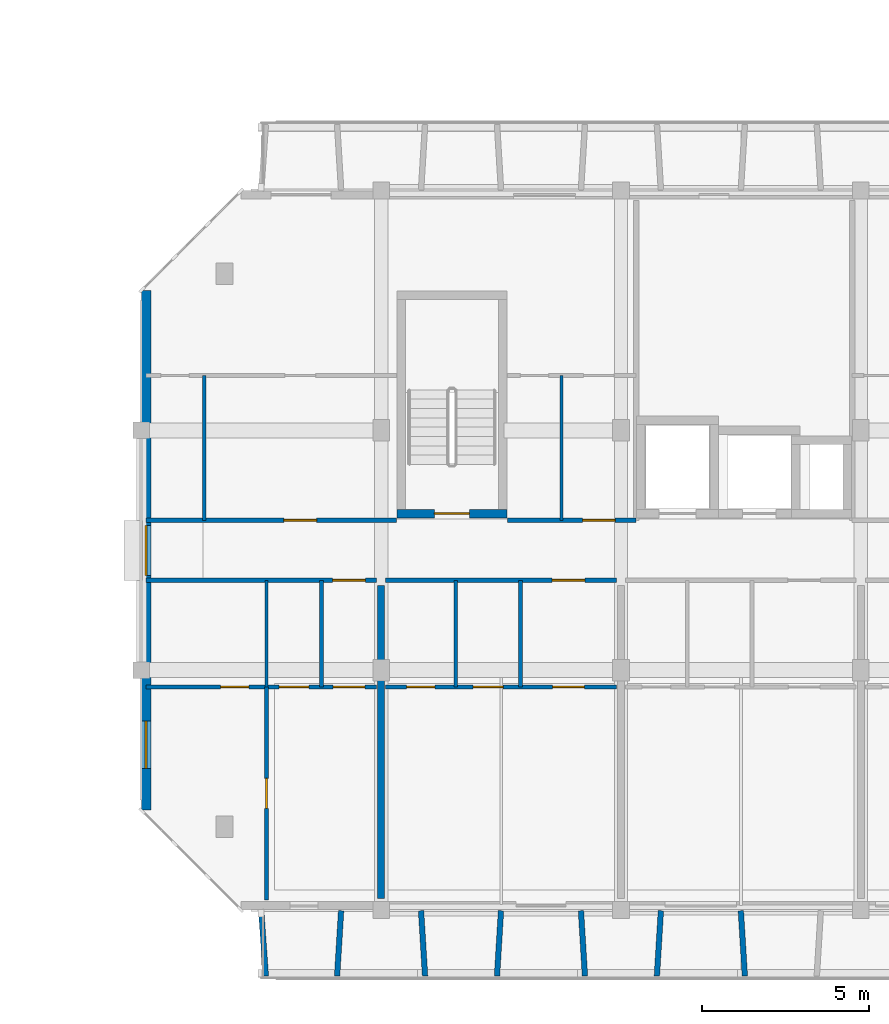
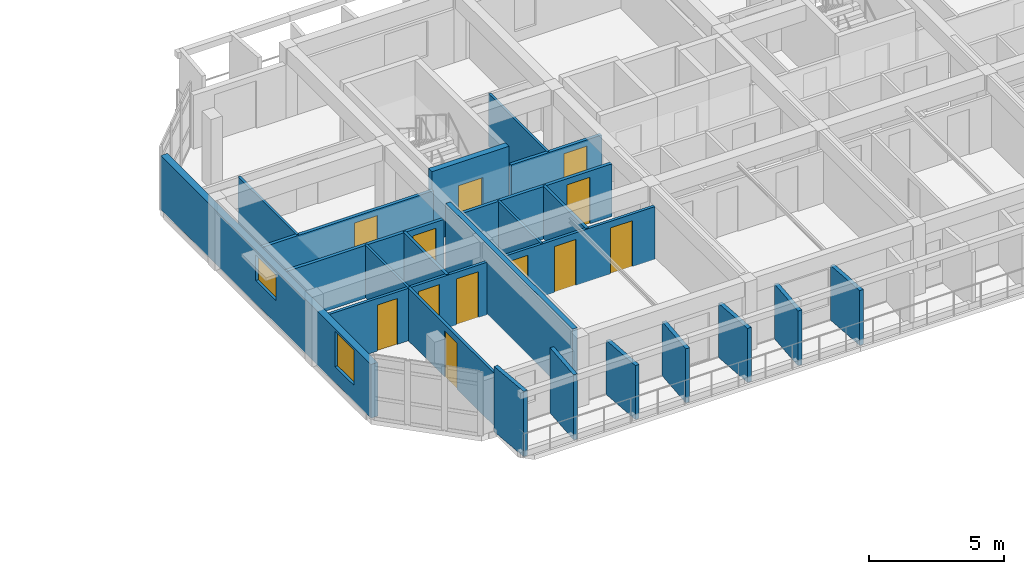
# One storey, part 24 of 46: 23 walls, 12 doors, 2 windows, 14 openings.
"""IFC4 building model written with IfcOpenShell, lengths in metres."""

from ifc_helpers import new_model, si_unit, direction, frame, frame_2d, origin, place, context, subcontext, project, spatial, rectangle, extrude, material, layer, layer_set, type_object, element, fill, save


model = new_model("IFC4")

# Units and contexts
model_context = context("Model", 3, precision=1e-05, world=origin(), true_north=direction((0.0, 1.0)))
body_context = subcontext(model_context, "Body", "Model", "MODEL_VIEW")
ifc_project = project(units=[si_unit("LENGTHUNIT", "METRE"), si_unit("AREAUNIT", "SQUARE_METRE"), si_unit("VOLUMEUNIT", "CUBIC_METRE"), si_unit("PLANEANGLEUNIT", "RADIAN"), si_unit("MASSUNIT", "GRAM", prefix="KILO")], contexts=[model_context])

# Site, building, storey
site_placement = place(None, origin())
site = spatial("IfcSite", under=ifc_project, at=site_placement, CompositionType="ELEMENT")
building_placement = place(site_placement, origin())
building = spatial("IfcBuilding", under=site, at=building_placement, Name="Ochrevale Crest", CompositionType="ELEMENT")
storey_placement = place(building_placement, frame((0.0, 0.0, 24.449951171875)))
storey = spatial("IfcBuildingStorey", under=building, at=storey_placement, Name="L07", CompositionType="ELEMENT", Elevation=24.449951171875)

# Wall, opening, door
ifc_material_1 = material(Name="Gypsum plasterboard", Category="gypsum")
ifc_layer_1 = layer(ifc_material_1, 0.139892578125)
ifc_layer_set_1 = layer_set([ifc_layer_1], Name="Gypsum plasterboard")
wall_type_1 = type_object("IfcWallType", Name="WL-COR-140", PredefinedType="PARTITIONING", material=ifc_layer_set_1)
wall_1_placement = place(storey_placement, frame((129.739990234375, 24.300048828125, 0.0), z_axis=(0.0, 0.0, 1.0), x_axis=(1.0, 0.0, 0.0)))
wall_1 = element("IfcWall", 1, at=wall_1_placement, inside=storey, type_object=wall_type_1, Name="Apartment C-L07-U1 corridor wall", PredefinedType="PARTITIONING", context=body_context, shape_type="SweptSolid", body=[
    extrude(rectangle(XDim=6.919921875, YDim=0.139892578125, at=frame_2d((3.4599609375, 0.0))), origin(), (0.0, 0.0, 1.0), 2.380126953125),
])
opening_1_placement = place(wall_1_placement, frame((6.5849609375, 0.0, 0.0), z_axis=(0.0, 0.0, 1.0), x_axis=(-1.0, 0.0, 0.0)))
opening_1 = element("IfcOpeningElement", 2, at=opening_1_placement, cuts=wall_1, Name="Opening FD01", PredefinedType="OPENING", context=body_context, shape_type="SweptSolid", body=[
    extrude(rectangle(XDim=0.97998046875, YDim=2.10009765625, at=frame_2d((0.489990234375, 1.050048828125))), frame((0.0, 0.080078125, 0.0), z_axis=(0.0, -1.0, 0.0), x_axis=(1.0, 0.0, 0.0)), (0.0, 0.0, 1.0), 0.159912109375),
])
ifc_material_2 = material(Name="Solid-core FSC hardwood", Category="wood")
door_type_1 = type_object("IfcDoorType", Name="DR-APT-950", OperationType="NOTDEFINED", PredefinedType="DOOR", material=ifc_material_2)
door_1_placement = place(opening_1_placement, origin())
door_1 = element("IfcDoor", 3, at=door_1_placement, inside=storey, type_object=door_type_1, Name="Apartment C-L07-U1 entrance door", OperationType="SINGLE_SWING_RIGHT", OverallHeight=2.10009765625, OverallWidth=0.97998046875, PredefinedType="DOOR", context=body_context, shape_type="SweptSolid", body=[
    extrude(rectangle(XDim=0.97998046875, YDim=2.10009765625, at=frame_2d((0.489990234375, 1.050048828125))), frame((0.0, 0.02490234375, 0.0), z_axis=(0.0, -1.0, 0.0), x_axis=(1.0, 0.0, 0.0)), (0.0, 0.0, 1.0), 0.050048828125),
])
fill(opening_1, door_1)

wall_2_placement = place(storey_placement, frame((136.93994140625, 24.300048828125, 0.0), z_axis=(0.0, 0.0, 1.0), x_axis=(1.0, 0.0, 0.0)))
wall_2 = element("IfcWall", 4, at=wall_2_placement, inside=storey, type_object=wall_type_1, Name="Apartment C-L07-U2 corridor wall", PredefinedType="PARTITIONING", context=body_context, shape_type="SweptSolid", body=[
    extrude(rectangle(XDim=6.920166015625, YDim=0.139892578125, at=frame_2d((3.4599609375, 0.0))), origin(), (0.0, 0.0, 1.0), 2.380126953125),
])
opening_2_placement = place(wall_2_placement, frame((4.9951171875, 0.0, 0.0)))
opening_2 = element("IfcOpeningElement", 5, at=opening_2_placement, cuts=wall_2, Name="Opening FD01", PredefinedType="OPENING", context=body_context, shape_type="SweptSolid", body=[
    extrude(rectangle(XDim=0.97998046875, YDim=2.10009765625, at=frame_2d((0.489990234375, 1.050048828125))), frame((0.0, 0.080078125, 0.0), z_axis=(0.0, -1.0, 0.0), x_axis=(1.0, 0.0, 0.0)), (0.0, 0.0, 1.0), 0.159912109375),
])
door_2_placement = place(opening_2_placement, origin())
door_2 = element("IfcDoor", 6, at=door_2_placement, inside=storey, type_object=door_type_1, Name="Apartment C-L07-U2 entrance door", OperationType="SINGLE_SWING_LEFT", OverallHeight=2.10009765625, OverallWidth=0.97998046875, PredefinedType="DOOR", context=body_context, shape_type="SweptSolid", body=[
    extrude(rectangle(XDim=0.97998046875, YDim=2.10009765625, at=frame_2d((0.489990234375, 1.050048828125))), frame((0.0, 0.02490234375, 0.0), z_axis=(0.0, -1.0, 0.0), x_axis=(1.0, 0.0, 0.0)), (0.0, 0.0, 1.0), 0.050048828125),
])
fill(opening_2, door_2)

wall_3_placement = place(storey_placement, frame((129.739990234375, 26.10009765625, 0.0), z_axis=(0.0, 0.0, 1.0), x_axis=(1.0, 0.0, 0.0)))
wall_3 = element("IfcWall", 7, at=wall_3_placement, inside=storey, type_object=wall_type_1, Name="Suite C-L07-CW corridor wall", PredefinedType="PARTITIONING", context=body_context, shape_type="SweptSolid", body=[
    extrude(rectangle(XDim=7.52001953125, YDim=0.139892578125, at=frame_2d((3.760009765625, 0.0))), origin(), (0.0, 0.0, 1.0), 2.380126953125),
])
opening_3_placement = place(wall_3_placement, frame((4.14501953125, 0.0, 0.0)))
opening_3 = element("IfcOpeningElement", 8, at=opening_3_placement, cuts=wall_3, Name="Opening FD01", PredefinedType="OPENING", context=body_context, shape_type="SweptSolid", body=[
    extrude(rectangle(XDim=0.97998046875, YDim=2.10009765625, at=frame_2d((0.489990234375, 1.050048828125))), frame((0.0, 0.080078125, 0.0), z_axis=(0.0, -1.0, 0.0), x_axis=(1.0, 0.0, 0.0)), (0.0, 0.0, 1.0), 0.159912109375),
])
door_3_placement = place(opening_3_placement, origin())
door_3 = element("IfcDoor", 9, at=door_3_placement, inside=storey, type_object=door_type_1, Name="Suite C-L07-CW entrance door", OperationType="SINGLE_SWING_LEFT", OverallHeight=2.10009765625, OverallWidth=0.97998046875, PredefinedType="DOOR", context=body_context, shape_type="SweptSolid", body=[
    extrude(rectangle(XDim=0.97998046875, YDim=2.10009765625, at=frame_2d((0.489990234375, 1.050048828125))), frame((0.0, 0.02490234375, 0.0), z_axis=(0.0, -1.0, 0.0), x_axis=(1.0, 0.0, 0.0)), (0.0, 0.0, 1.0), 0.050048828125),
])
fill(opening_3, door_3)

wall_4_placement = place(storey_placement, frame((140.590087890625, 26.10009765625, 0.0), z_axis=(0.0, 0.0, 1.0), x_axis=(1.0, 0.0, 0.0)))
wall_4 = element("IfcWall", 10, at=wall_4_placement, inside=storey, type_object=wall_type_1, Name="Suite C-L07-MW corridor wall", PredefinedType="PARTITIONING", context=body_context, shape_type="SweptSolid", body=[
    extrude(rectangle(XDim=3.869873046875, YDim=0.139892578125, at=frame_2d((1.93505859375, 0.0))), origin(), (0.0, 0.0, 1.0), 2.380126953125),
])
opening_4_placement = place(wall_4_placement, frame((3.23779296875, 0.0, 0.0), z_axis=(0.0, 0.0, 1.0), x_axis=(-1.0, 0.0, 0.0)))
opening_4 = element("IfcOpeningElement", 11, at=opening_4_placement, cuts=wall_4, Name="Opening FD01", PredefinedType="OPENING", context=body_context, shape_type="SweptSolid", body=[
    extrude(rectangle(XDim=0.97998046875, YDim=2.10009765625, at=frame_2d((0.489990234375, 1.050048828125))), frame((0.0, 0.080078125, 0.0), z_axis=(0.0, -1.0, 0.0), x_axis=(1.0, 0.0, 0.0)), (0.0, 0.0, 1.0), 0.159912109375),
])
door_4_placement = place(opening_4_placement, origin())
door_4 = element("IfcDoor", 12, at=door_4_placement, inside=storey, type_object=door_type_1, Name="Suite C-L07-MW entrance door", OperationType="SINGLE_SWING_RIGHT", OverallHeight=2.10009765625, OverallWidth=0.97998046875, PredefinedType="DOOR", context=body_context, shape_type="SweptSolid", body=[
    extrude(rectangle(XDim=0.97998046875, YDim=2.10009765625, at=frame_2d((0.489990234375, 1.050048828125))), frame((0.0, 0.02490234375, 0.0), z_axis=(0.0, -1.0, 0.0), x_axis=(1.0, 0.0, 0.0)), (0.0, 0.0, 1.0), 0.050048828125),
])
fill(opening_4, door_4)

ifc_material_3 = material(Name="Precast concrete C50/60", Category="concrete")
ifc_layer_2 = layer(ifc_material_3, 0.2548828125)
ifc_layer_set_2 = layer_set([ifc_layer_2], Name="Precast concrete C50/60")
wall_type_2 = type_object("IfcWallType", Name="WL-CORE-255", PredefinedType="SHEAR", material=ifc_layer_set_2)
wall_5_placement = place(storey_placement, frame((137.2724609375, 26.300048828125, 0.0), z_axis=(0.0, 0.0, 1.0), x_axis=(1.0, 0.0, 0.0)))
wall_5 = element("IfcWall", 13, at=wall_5_placement, inside=storey, type_object=wall_type_2, Name="Block C L07 Stair 1 precast core shear wall S", PredefinedType="SHEAR", context=body_context, shape_type="SweptSolid", body=[
    extrude(rectangle(XDim=3.304931640625, YDim=0.2548828125, at=frame_2d((1.65234375, 0.0))), origin(), (0.0, 0.0, 1.0), 3.150146484375),
])
opening_5_placement = place(wall_5_placement, frame((2.177490234375, 0.0, 0.0), z_axis=(0.0, 0.0, 1.0), x_axis=(-1.0, 0.0, 0.0)))
opening_5 = element("IfcOpeningElement", 14, at=opening_5_placement, cuts=wall_5, Name="Opening FD03", PredefinedType="OPENING", context=body_context, shape_type="SweptSolid", body=[
    extrude(rectangle(XDim=1.050048828125, YDim=2.1201171875, at=frame_2d((0.52490234375, 1.06005859375))), frame((0.0, 0.137451171875, 0.0), z_axis=(0.0, -1.0, 0.0), x_axis=(1.0, 0.0, 0.0)), (0.0, 0.0, 1.0), 0.27490234375),
])
door_type_2 = type_object("IfcDoorType", Name="DR-ST-1050", OperationType="NOTDEFINED", PredefinedType="DOOR", material=ifc_material_2)
door_5_placement = place(opening_5_placement, origin())
door_5 = element("IfcDoor", 15, at=door_5_placement, inside=storey, type_object=door_type_2, Name="Block C L07 fire stair 1 door", OperationType="SINGLE_SWING_RIGHT", OverallHeight=2.1201171875, OverallWidth=1.050048828125, PredefinedType="DOOR", context=body_context, shape_type="SweptSolid", body=[
    extrude(rectangle(XDim=1.050048828125, YDim=2.1201171875, at=frame_2d((0.52490234375, 1.06005859375))), frame((0.0, 0.02490234375, 0.0), z_axis=(0.0, -1.0, 0.0), x_axis=(1.0, 0.0, 0.0)), (0.0, 0.0, 1.0), 0.050048828125),
])
fill(opening_5, door_5)

# Wall, openings, windows
ifc_material_4 = material(Name="Clay face brickwork", Category="masonry")
ifc_layer_3 = layer(ifc_material_4, 0.2900390625)
ifc_layer_set_3 = layer_set([ifc_layer_3], Name="Clay face brickwork")
wall_type_3 = type_object("IfcWallType", Name="WL-EXT-BRICK-290", PredefinedType="SOLIDWALL", material=ifc_layer_set_3)
wall_6_placement = place(storey_placement, frame((129.7451171875, 33.0, 0.0), z_axis=(0.0, 0.0, 1.0), x_axis=(0.0, -1.0, 0.0)))
wall_6 = element("IfcWall", 16, at=wall_6_placement, inside=storey, type_object=wall_type_3, Name="Block C L07 external facade wall E7", PredefinedType="SOLIDWALL", context=body_context, shape_type="SweptSolid", body=[
    extrude(rectangle(XDim=15.60009765625, YDim=0.2900390625, at=frame_2d((7.800048828125, 0.0))), origin(), (0.0, 0.0, 1.0), 2.429931640625),
])
opening_6_placement = place(wall_6_placement, frame((7.050048828125, 0.0, 1.050048828125)))
opening_6 = element("IfcOpeningElement", 17, at=opening_6_placement, cuts=wall_6, Name="Opening W18", PredefinedType="OPENING", context=body_context, shape_type="SweptSolid", body=[
    extrude(rectangle(XDim=1.5, YDim=1.14990234375, at=frame_2d((0.75, 0.574951171875))), frame((0.0, 0.155029296875, 0.0), z_axis=(0.0, -1.0, 0.0), x_axis=(1.0, 0.0, 0.0)), (0.0, 0.0, 1.0), 0.31005859375),
])
opening_7_placement = place(wall_6_placement, frame((12.925048828125, 0.0, 0.719970703125)))
opening_7 = element("IfcOpeningElement", 18, at=opening_7_placement, cuts=wall_6, Name="Opening W31", PredefinedType="OPENING", context=body_context, shape_type="SweptSolid", body=[
    extrude(rectangle(XDim=1.419921875, YDim=1.60009765625, at=frame_2d((0.7099609375, 0.800048828125))), frame((0.0, 0.155029296875, 0.0), z_axis=(0.0, -1.0, 0.0), x_axis=(1.0, 0.0, 0.0)), (0.0, 0.0, 1.0), 0.31005859375),
])
ifc_material_5 = material(Name="Anodised aluminium 6063-T5 and low-E double glazing", Category="aluminium")
window_type_1 = type_object("IfcWindowType", Name="WIN-W18", PartitioningType="SINGLE_PANEL", PredefinedType="WINDOW", material=ifc_material_5)
window_1_placement = place(opening_6_placement, origin())
window_1 = element("IfcWindow", 19, at=window_1_placement, inside=storey, type_object=window_type_1, Name="Block C L07 corridor end daylight window W", OverallHeight=1.14990234375, OverallWidth=1.5, PartitioningType="SINGLE_PANEL", PredefinedType="WINDOW", context=body_context, shape_type="SweptSolid", body=[
    extrude(rectangle(XDim=1.5, YDim=1.14990234375, at=frame_2d((0.75, 0.574951171875))), frame((0.0, 0.030029296875, 0.0), z_axis=(0.0, -1.0, 0.0), x_axis=(1.0, 0.0, 0.0)), (0.0, 0.0, 1.0), 0.06005859375),
])
fill(opening_6, window_1)
window_type_2 = type_object("IfcWindowType", Name="WIN-W31", PartitioningType="SINGLE_PANEL", PredefinedType="WINDOW", material=ifc_material_5)
window_2_placement = place(opening_7_placement, origin())
window_2 = element("IfcWindow", 20, at=window_2_placement, inside=storey, type_object=window_type_2, Name="Block C L07 side suite window W", OverallHeight=1.60009765625, OverallWidth=1.419921875, PartitioningType="SINGLE_PANEL", PredefinedType="WINDOW", context=body_context, shape_type="SweptSolid", body=[
    extrude(rectangle(XDim=1.419921875, YDim=1.60009765625, at=frame_2d((0.7099609375, 0.800048828125))), frame((0.0, 0.030029296875, 0.0), z_axis=(0.0, -1.0, 0.0), x_axis=(1.0, 0.0, 0.0)), (0.0, 0.0, 1.0), 0.06005859375),
])
fill(opening_7, window_2)

# Walls
ifc_material_6 = material(Name="Precast concrete C40/50", Category="concrete")
ifc_layer_4 = layer(ifc_material_6, 0.1650390625)
ifc_layer_set_4 = layer_set([ifc_layer_4], Name="Precast concrete C40/50")
wall_type_4 = type_object("IfcWallType", Name="WL-HC-CHEEK-165", PredefinedType="ELEMENTEDWALL", material=ifc_layer_set_4)
wall_7_placement = place(storey_placement, frame((133.199951171875, 14.3798828125, 0.0), z_axis=(0.0, 0.0, 1.0), x_axis=(0.071317687608, -0.997453651772, 0.0)))
element("IfcWall", 21, at=wall_7_placement, inside=storey, type_object=wall_type_4, Name="Block C L07 S precast honeycomb cheek 1", PredefinedType="ELEMENTEDWALL", context=body_context, shape_type="SweptSolid", body=[
    extrude(rectangle(XDim=1.96484375, YDim=0.1650390625, at=frame_2d((0.982421875, 0.0))), origin(), (0.0, 0.0, 1.0), 2.949951171875),
])
wall_8_placement = place(storey_placement, frame((135.60009765625, 14.3798828125, 0.0), z_axis=(0.0, 0.0, 1.0), x_axis=(-0.061170732449, -0.998127317276, 0.0)))
element("IfcWall", 22, at=wall_8_placement, inside=storey, type_object=wall_type_4, Name="Block C L07 S precast honeycomb cheek 2", PredefinedType="ELEMENTEDWALL", context=body_context, shape_type="SweptSolid", body=[
    extrude(rectangle(XDim=1.963623046875, YDim=0.1650390625, at=frame_2d((0.98193359375, 0.0))), origin(), (0.0, 0.0, 1.0), 2.949951171875),
])
for number, where, z_axis, x_axis, name in (
    (23, (138.0, 14.3798828125, 0.0), (0.0, 0.0, 1.0), (0.061170732449, -0.998127317276, 0.0), "Block C L07 S precast honeycomb cheek 3"),
    (24, (140.39990234375, 14.3798828125, 0.0), (0.0, 0.0, 1.0), (-0.061046865508, -0.998134900808, 0.0), "Block C L07 S precast honeycomb cheek 4"),
    (25, (142.800048828125, 14.3798828125, 0.0), (0.0, 0.0, 1.0), (0.061046865508, -0.998134900808, 0.0), "Block C L07 S precast honeycomb cheek 5"),
):
    element("IfcWall", number, at=place(storey_placement, frame(where, z_axis=z_axis, x_axis=x_axis)), inside=storey, type_object=wall_type_4, Name=name, PredefinedType="ELEMENTEDWALL", context=body_context, shape_type="SweptSolid", body=[
        extrude(rectangle(XDim=1.963623046875, YDim=0.1650390625, at=frame_2d((0.98193359375, 0.0))), origin(), (0.0, 0.0, 1.0), 2.449951171875),
    ])
for number, where, z_axis, x_axis, name in (
    (26, (145.199951171875, 14.3798828125, 0.0), (0.0, 0.0, 1.0), (-0.061046865508, -0.998134900808, 0.0), "Block C L07 S precast honeycomb cheek 6"),
    (27, (147.60009765625, 14.3798828125, 0.0), (0.0, 0.0, 1.0), (0.061046865508, -0.998134900808, 0.0), "Block C L07 S precast honeycomb cheek 7"),
):
    element("IfcWall", number, at=place(storey_placement, frame(where, z_axis=z_axis, x_axis=x_axis)), inside=storey, type_object=wall_type_4, Name=name, PredefinedType="ELEMENTEDWALL", context=body_context, shape_type="SweptSolid", body=[
        extrude(rectangle(XDim=1.963623046875, YDim=0.1650390625, at=frame_2d((0.98193359375, 0.0))), origin(), (0.0, 0.0, 1.0), 2.47998046875),
    ])
ifc_layer_5 = layer(ifc_material_1, 0.1201171875)
ifc_layer_set_5 = layer_set([ifc_layer_5], Name="Gypsum plasterboard")
wall_type_5 = type_object("IfcWallType", Name="WL-PART-120", PredefinedType="PARTITIONING", material=ifc_layer_set_5)
wall_9_placement = place(storey_placement, frame((135.010009765625, 21.10009765625, 0.0), z_axis=(0.0, 0.0, 1.0), x_axis=(0.0, 1.0, 0.0)))
element("IfcWall", 28, at=wall_9_placement, inside=storey, type_object=wall_type_5, Name="Apartment C-L07-U1 kitchen-foyer wall", PredefinedType="PARTITIONING", context=body_context, shape_type="SweptSolid", body=[
    extrude(rectangle(XDim=3.199951171875, YDim=0.1201171875, at=frame_2d((1.60009765625, 0.0))), origin(), (0.0, 0.0, 1.0), 2.380126953125),
])

# Wall, openings, doors
wall_10_placement = place(storey_placement, frame((129.739990234375, 21.10009765625, 0.0), z_axis=(0.0, 0.0, 1.0), x_axis=(1.0, 0.0, 0.0)))
wall_10 = element("IfcWall", 29, at=wall_10_placement, inside=storey, type_object=wall_type_5, Name="Apartment C-L07-U1 central partition", PredefinedType="PARTITIONING", context=body_context, shape_type="SweptSolid", body=[
    extrude(rectangle(XDim=6.919921875, YDim=0.1201171875, at=frame_2d((3.4599609375, 0.0))), origin(), (0.0, 0.0, 1.0), 2.380126953125),
])
opening_8_placement = place(wall_10_placement, frame((2.239990234375, 0.0, 0.0)))
opening_8 = element("IfcOpeningElement", 30, at=opening_8_placement, cuts=wall_10, Name="Opening ID01", PredefinedType="OPENING", context=body_context, shape_type="SweptSolid", body=[
    extrude(rectangle(XDim=0.85009765625, YDim=2.080078125, at=frame_2d((0.425048828125, 1.0400390625))), frame((0.0, 0.070068359375, 0.0), z_axis=(0.0, -1.0, 0.0), x_axis=(1.0, 0.0, 0.0)), (0.0, 0.0, 1.0), 0.14013671875),
])
opening_9_placement = place(wall_10_placement, frame((4.89501953125, 0.0, 0.0), z_axis=(0.0, 0.0, 1.0), x_axis=(-1.0, 0.0, 0.0)))
opening_9 = element("IfcOpeningElement", 31, at=opening_9_placement, cuts=wall_10, Name="Opening ID02", PredefinedType="OPENING", context=body_context, shape_type="SweptSolid", body=[
    extrude(rectangle(XDim=0.89990234375, YDim=2.080078125, at=frame_2d((0.449951171875, 1.0400390625))), frame((0.0, 0.070068359375, 0.0), z_axis=(0.0, -1.0, 0.0), x_axis=(1.0, 0.0, 0.0)), (0.0, 0.0, 1.0), 0.14013671875),
])
opening_10_placement = place(wall_10_placement, frame((5.6201171875, 0.0, 0.0)))
opening_10 = element("IfcOpeningElement", 32, at=opening_10_placement, cuts=wall_10, Name="Opening ID06", PredefinedType="OPENING", context=body_context, shape_type="SweptSolid", body=[
    extrude(rectangle(XDim=0.949951171875, YDim=2.080078125, at=frame_2d((0.47509765625, 1.0400390625))), frame((0.0, 0.070068359375, 0.0), z_axis=(0.0, -1.0, 0.0), x_axis=(1.0, 0.0, 0.0)), (0.0, 0.0, 1.0), 0.14013671875),
])
door_type_3 = type_object("IfcDoorType", Name="DR-INT-900", OperationType="NOTDEFINED", PredefinedType="DOOR", material=ifc_material_2)
door_6_placement = place(opening_9_placement, origin())
door_6 = element("IfcDoor", 33, at=door_6_placement, inside=storey, type_object=door_type_3, Name="Apartment C-L07-U1 Kitchen door", OperationType="SINGLE_SWING_RIGHT", OverallHeight=2.080078125, OverallWidth=0.89990234375, PredefinedType="DOOR", context=body_context, shape_type="SweptSolid", body=[
    extrude(rectangle(XDim=0.89990234375, YDim=2.080078125, at=frame_2d((0.449951171875, 1.0400390625))), frame((0.0, 0.02490234375, 0.0), z_axis=(0.0, -1.0, 0.0), x_axis=(1.0, 0.0, 0.0)), (0.0, 0.0, 1.0), 0.050048828125),
])
fill(opening_9, door_6)
door_type_4 = type_object("IfcDoorType", Name="DR-INT-950", OperationType="NOTDEFINED", PredefinedType="DOOR", material=ifc_material_2)
door_7_placement = place(opening_10_placement, origin())
door_7 = element("IfcDoor", 34, at=door_7_placement, inside=storey, type_object=door_type_4, Name="Apartment C-L07-U1 Living Foyer door", OperationType="SINGLE_SWING_LEFT", OverallHeight=2.080078125, OverallWidth=0.949951171875, PredefinedType="DOOR", context=body_context, shape_type="SweptSolid", body=[
    extrude(rectangle(XDim=0.949951171875, YDim=2.080078125, at=frame_2d((0.47509765625, 1.0400390625))), frame((0.0, 0.02490234375, 0.0), z_axis=(0.0, -1.0, 0.0), x_axis=(1.0, 0.0, 0.0)), (0.0, 0.0, 1.0), 0.050048828125),
])
fill(opening_10, door_7)
door_type_5 = type_object("IfcDoorType", Name="DR-WC-850", OperationType="NOTDEFINED", PredefinedType="DOOR", material=ifc_material_2)
door_8_placement = place(opening_8_placement, origin())
door_8 = element("IfcDoor", 35, at=door_8_placement, inside=storey, type_object=door_type_5, Name="Apartment C-L07-U1 Bathroom door", OperationType="SINGLE_SWING_LEFT", OverallHeight=2.080078125, OverallWidth=0.85009765625, PredefinedType="DOOR", context=body_context, shape_type="SweptSolid", body=[
    extrude(rectangle(XDim=0.85009765625, YDim=2.080078125, at=frame_2d((0.425048828125, 1.0400390625))), frame((0.0, 0.02490234375, 0.0), z_axis=(0.0, -1.0, 0.0), x_axis=(1.0, 0.0, 0.0)), (0.0, 0.0, 1.0), 0.050048828125),
])
fill(opening_8, door_8)

# Wall, opening, door
wall_11_placement = place(storey_placement, frame((133.360107421875, 14.699951171875, 0.0), z_axis=(0.0, 0.0, 1.0), x_axis=(0.0, 1.0, 0.0)))
wall_11 = element("IfcWall", 36, at=wall_11_placement, inside=storey, type_object=wall_type_5, Name="Apartment C-L07-U1 bedroom partition", PredefinedType="PARTITIONING", context=body_context, shape_type="SweptSolid", body=[
    extrude(rectangle(XDim=6.400146484375, YDim=0.1201171875, at=frame_2d((3.2001953125, 0.0))), origin(), (0.0, 0.0, 1.0), 2.380126953125),
])
opening_11_placement = place(wall_11_placement, frame((3.64990234375, 0.0, 0.0), z_axis=(0.0, 0.0, 1.0), x_axis=(-1.0, 0.0, 0.0)))
opening_11 = element("IfcOpeningElement", 37, at=opening_11_placement, cuts=wall_11, Name="Opening ID02", PredefinedType="OPENING", context=body_context, shape_type="SweptSolid", body=[
    extrude(rectangle(XDim=0.89990234375, YDim=2.080078125, at=frame_2d((0.449951171875, 1.0400390625))), frame((0.0, 0.070068359375, 0.0), z_axis=(0.0, -1.0, 0.0), x_axis=(1.0, 0.0, 0.0)), (0.0, 0.0, 1.0), 0.14013671875),
])
door_9_placement = place(opening_11_placement, origin())
door_9 = element("IfcDoor", 38, at=door_9_placement, inside=storey, type_object=door_type_3, Name="Apartment C-L07-U1 Master Bedroom door", OperationType="SINGLE_SWING_RIGHT", OverallHeight=2.080078125, OverallWidth=0.89990234375, PredefinedType="DOOR", context=body_context, shape_type="SweptSolid", body=[
    extrude(rectangle(XDim=0.89990234375, YDim=2.080078125, at=frame_2d((0.449951171875, 1.0400390625))), frame((0.0, 0.02490234375, 0.0), z_axis=(0.0, -1.0, 0.0), x_axis=(1.0, 0.0, 0.0)), (0.0, 0.0, 1.0), 0.050048828125),
])
fill(opening_11, door_9)

# Wall
wall_12_placement = place(storey_placement, frame((140.989990234375, 21.10009765625, 0.0), z_axis=(0.0, 0.0, 1.0), x_axis=(0.0, 1.0, 0.0)))
element("IfcWall", 39, at=wall_12_placement, inside=storey, type_object=wall_type_5, Name="Apartment C-L07-U2 kitchen-foyer wall", PredefinedType="PARTITIONING", context=body_context, shape_type="SweptSolid", body=[
    extrude(rectangle(XDim=3.199951171875, YDim=0.1201171875, at=frame_2d((1.60009765625, 0.0))), origin(), (0.0, 0.0, 1.0), 2.380126953125),
])

# Wall, openings, doors
wall_13_placement = place(storey_placement, frame((136.93994140625, 21.10009765625, 0.0), z_axis=(0.0, 0.0, 1.0), x_axis=(1.0, 0.0, 0.0)))
wall_13 = element("IfcWall", 40, at=wall_13_placement, inside=storey, type_object=wall_type_5, Name="Apartment C-L07-U2 central partition", PredefinedType="PARTITIONING", context=body_context, shape_type="SweptSolid", body=[
    extrude(rectangle(XDim=6.920166015625, YDim=0.1201171875, at=frame_2d((3.4599609375, 0.0))), origin(), (0.0, 0.0, 1.0), 2.380126953125),
])
opening_12_placement = place(wall_13_placement, frame((1.47509765625, 0.0, 0.0), z_axis=(0.0, 0.0, 1.0), x_axis=(-1.0, 0.0, 0.0)))
opening_12 = element("IfcOpeningElement", 41, at=opening_12_placement, cuts=wall_13, Name="Opening ID01", PredefinedType="OPENING", context=body_context, shape_type="SweptSolid", body=[
    extrude(rectangle(XDim=0.85009765625, YDim=2.080078125, at=frame_2d((0.425048828125, 1.0400390625))), frame((0.0, 0.070068359375, 0.0), z_axis=(0.0, -1.0, 0.0), x_axis=(1.0, 0.0, 0.0)), (0.0, 0.0, 1.0), 0.14013671875),
])
opening_13_placement = place(wall_13_placement, frame((2.625, 0.0, 0.0)))
opening_13 = element("IfcOpeningElement", 42, at=opening_13_placement, cuts=wall_13, Name="Opening ID02", PredefinedType="OPENING", context=body_context, shape_type="SweptSolid", body=[
    extrude(rectangle(XDim=0.89990234375, YDim=2.080078125, at=frame_2d((0.449951171875, 1.0400390625))), frame((0.0, 0.070068359375, 0.0), z_axis=(0.0, -1.0, 0.0), x_axis=(1.0, 0.0, 0.0)), (0.0, 0.0, 1.0), 0.14013671875),
])
opening_14_placement = place(wall_13_placement, frame((5.9599609375, 0.0, 0.0), z_axis=(0.0, 0.0, 1.0), x_axis=(-1.0, 0.0, 0.0)))
opening_14 = element("IfcOpeningElement", 43, at=opening_14_placement, cuts=wall_13, Name="Opening ID06", PredefinedType="OPENING", context=body_context, shape_type="SweptSolid", body=[
    extrude(rectangle(XDim=0.949951171875, YDim=2.080078125, at=frame_2d((0.47509765625, 1.0400390625))), frame((0.0, 0.070068359375, 0.0), z_axis=(0.0, -1.0, 0.0), x_axis=(1.0, 0.0, 0.0)), (0.0, 0.0, 1.0), 0.14013671875),
])
door_10_placement = place(opening_13_placement, origin())
door_10 = element("IfcDoor", 44, at=door_10_placement, inside=storey, type_object=door_type_3, Name="Apartment C-L07-U2 Kitchen door", OperationType="SINGLE_SWING_LEFT", OverallHeight=2.080078125, OverallWidth=0.89990234375, PredefinedType="DOOR", context=body_context, shape_type="SweptSolid", body=[
    extrude(rectangle(XDim=0.89990234375, YDim=2.080078125, at=frame_2d((0.449951171875, 1.0400390625))), frame((0.0, 0.02490234375, 0.0), z_axis=(0.0, -1.0, 0.0), x_axis=(1.0, 0.0, 0.0)), (0.0, 0.0, 1.0), 0.050048828125),
])
fill(opening_13, door_10)
door_11_placement = place(opening_14_placement, origin())
door_11 = element("IfcDoor", 45, at=door_11_placement, inside=storey, type_object=door_type_4, Name="Apartment C-L07-U2 Living Foyer door", OperationType="SINGLE_SWING_RIGHT", OverallHeight=2.080078125, OverallWidth=0.949951171875, PredefinedType="DOOR", context=body_context, shape_type="SweptSolid", body=[
    extrude(rectangle(XDim=0.949951171875, YDim=2.080078125, at=frame_2d((0.47509765625, 1.0400390625))), frame((0.0, 0.02490234375, 0.0), z_axis=(0.0, -1.0, 0.0), x_axis=(1.0, 0.0, 0.0)), (0.0, 0.0, 1.0), 0.050048828125),
])
fill(opening_14, door_11)
door_12_placement = place(opening_12_placement, origin())
door_12 = element("IfcDoor", 46, at=door_12_placement, inside=storey, type_object=door_type_5, Name="Apartment C-L07-U2 Bathroom door", OperationType="SINGLE_SWING_RIGHT", OverallHeight=2.080078125, OverallWidth=0.85009765625, PredefinedType="DOOR", context=body_context, shape_type="SweptSolid", body=[
    extrude(rectangle(XDim=0.85009765625, YDim=2.080078125, at=frame_2d((0.425048828125, 1.0400390625))), frame((0.0, 0.02490234375, 0.0), z_axis=(0.0, -1.0, 0.0), x_axis=(1.0, 0.0, 0.0)), (0.0, 0.0, 1.0), 0.050048828125),
])
fill(opening_12, door_12)

# Walls
ifc_layer_6 = layer(ifc_material_6, 0.2099609375)
ifc_layer_set_6 = layer_set([ifc_layer_6], Name="Precast concrete C40/50")
wall_type_6 = type_object("IfcWallType", Name="WL-SHEAR-210", PredefinedType="SHEAR", material=ifc_layer_set_6)
wall_14_placement = place(storey_placement, frame((136.800048828125, 14.75, 0.0), z_axis=(0.0, 0.0, 1.0), x_axis=(0.0, 1.0, 0.0)))
element("IfcWall", 47, at=wall_14_placement, inside=storey, type_object=wall_type_6, Name="Block C L07 load-bearing precast cross-wall X=136.8", PredefinedType="SHEAR", context=body_context, shape_type="SweptSolid", body=[
    extrude(rectangle(XDim=9.39990234375, YDim=0.2099609375, at=frame_2d((4.699951171875, 0.0))), origin(), (0.0, 0.0, 1.0), 3.150146484375),
])
ifc_layer_7 = layer(ifc_material_1, 0.10009765625)
ifc_layer_set_7 = layer_set([ifc_layer_7], Name="Gypsum plasterboard")
wall_type_7 = type_object("IfcWallType", Name="WL-WET-100", PredefinedType="PARTITIONING", material=ifc_layer_set_7)
for number, where, z_axis, x_axis, name in (
    (48, (133.360107421875, 21.10009765625, 0.0), (0.0, 0.0, 1.0), (0.0, 1.0, 0.0), "Apartment C-L07-U1 bath-kitchen wall"),
    (49, (139.0400390625, 21.10009765625, 0.0), (0.0, 0.0, 1.0), (0.0, 1.0, 0.0), "Apartment C-L07-U2 bath-kitchen wall"),
):
    element("IfcWall", number, at=place(storey_placement, frame(where, z_axis=z_axis, x_axis=x_axis)), inside=storey, type_object=wall_type_7, Name=name, PredefinedType="PARTITIONING", context=body_context, shape_type="SweptSolid", body=[
        extrude(rectangle(XDim=3.199951171875, YDim=0.10009765625, at=frame_2d((1.60009765625, 0.0))), origin(), (0.0, 0.0, 1.0), 2.380126953125),
    ])
for number, where, z_axis, x_axis, name in (
    (50, (131.489990234375, 26.10009765625, 0.0), (0.0, 0.0, 1.0), (0.0, 1.0, 0.0), "Suite C-L07-CW bathroom divider"),
    (51, (142.21533203125, 26.10009765625, 0.0), (0.0, 0.0, 1.0), (0.0, 1.0, 0.0), "Suite C-L07-MW bathroom divider"),
):
    element("IfcWall", number, at=place(storey_placement, frame(where, z_axis=z_axis, x_axis=x_axis)), inside=storey, type_object=wall_type_7, Name=name, PredefinedType="PARTITIONING", context=body_context, shape_type="SweptSolid", body=[
        extrude(rectangle(XDim=4.349853515625, YDim=0.10009765625, at=frame_2d((2.1748046875, 0.0))), origin(), (0.0, 0.0, 1.0), 2.380126953125),
    ])

save(model, "model.ifc")
